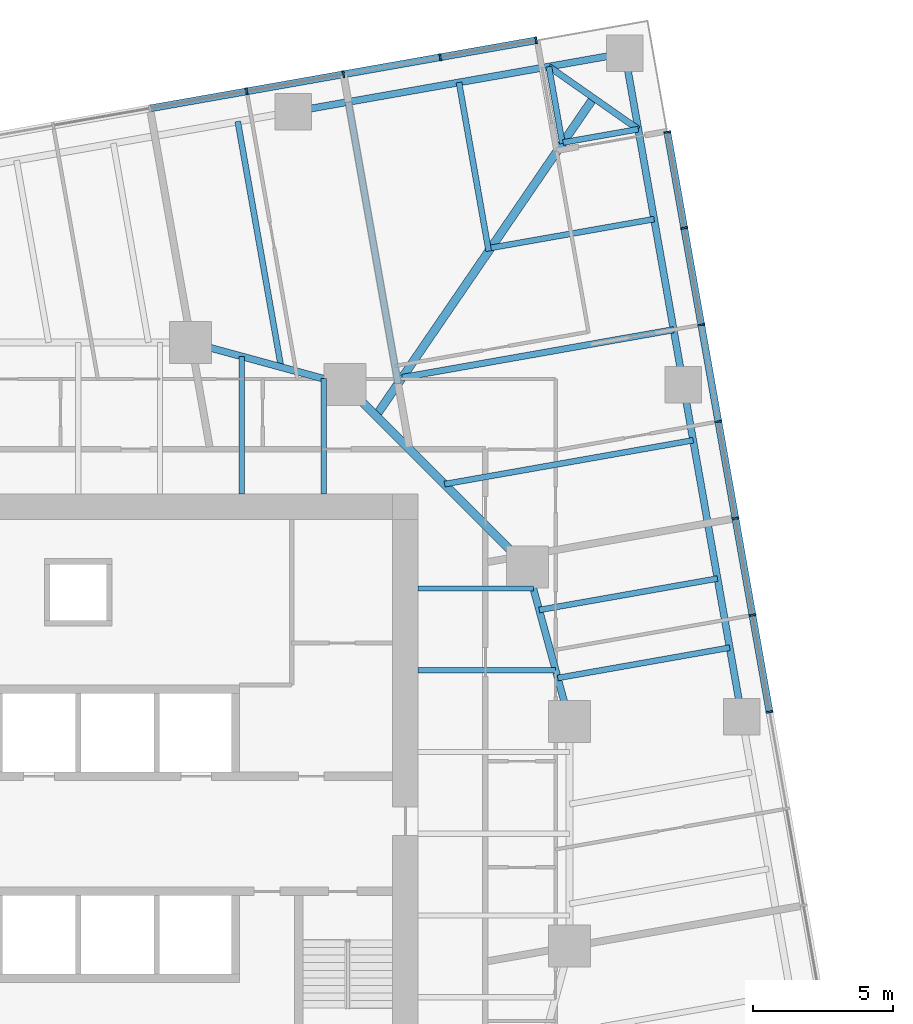
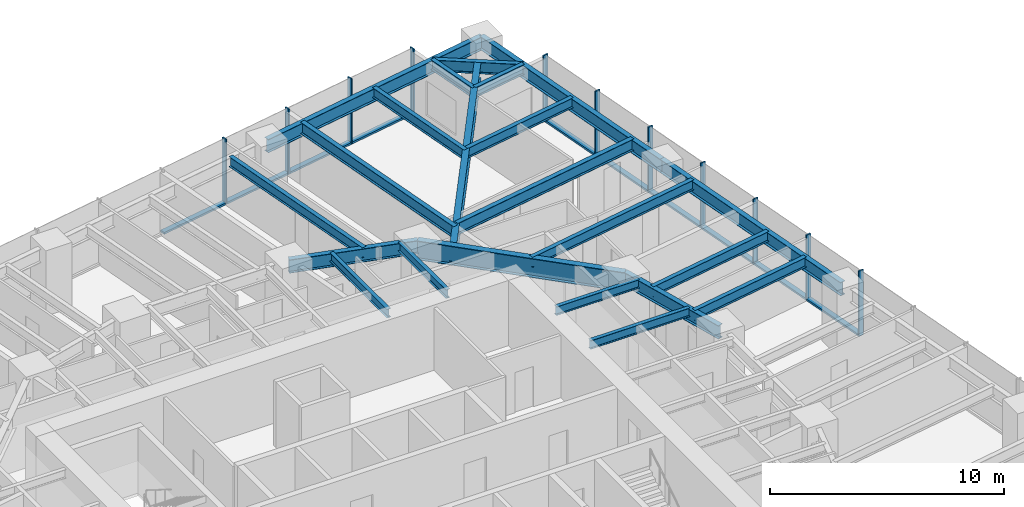
# One storey, part 6 of 14: 22 beams, 21 members, 2 elements without a shape of their own.
"""IFC4 building model written with IfcOpenShell, lengths in metres."""

from ifc_helpers import new_model, si_unit, direction, frame, origin, origin_2d, place, context, subcontext, project, spatial, rectangle, i_section, extrude, material, material_profile, profile_set, type_object, element, aggregate, save


model = new_model("IFC4")

# Units and contexts
model_context = context("Model", 3, precision=1e-05, world=origin(), true_north=direction((0.0, 1.0)))
body_context = subcontext(model_context, "Body", "Model", "MODEL_VIEW")
ifc_project = project(units=[si_unit("LENGTHUNIT", "METRE"), si_unit("AREAUNIT", "SQUARE_METRE"), si_unit("VOLUMEUNIT", "CUBIC_METRE"), si_unit("PLANEANGLEUNIT", "RADIAN"), si_unit("MASSUNIT", "GRAM", prefix="KILO")], contexts=[model_context])

# Site, building, storey
site_placement = place(None, origin())
site = spatial("IfcSite", under=ifc_project, at=site_placement, CompositionType="ELEMENT")
building_placement = place(site_placement, origin())
building = spatial("IfcBuilding", under=site, at=building_placement, Name="Torsade Residences", CompositionType="ELEMENT")
storey_placement = place(building_placement, frame((0.0, 0.0, 93.0)))
storey = spatial("IfcBuildingStorey", under=building, at=storey_placement, Name="L25", CompositionType="ELEMENT", Elevation=93.0)

# Beams
ifc_material_1 = material(Name="Steel grade 300", Category="steel")
ifc_material_profile_1 = material_profile(ifc_material_1, i_section(OverallWidth=0.300048828125, OverallDepth=0.89990234375, WebThickness=0.011962890625, FlangeThickness=0.02490234375, at=origin_2d()), Name="900WB175")
ifc_profile_set_1 = profile_set([ifc_material_profile_1], Name="Steel grade 300")
beam_type_1 = type_object("IfcBeamType", Name="CORNER GIRDER 900WB175", PredefinedType="BEAM", material=ifc_profile_set_1)
beam_1_placement = place(storey_placement, frame((58.3525390625, 56.2099609375, 2.800048828125), z_axis=(-0.564724759437, -0.825279313977, 0.0), x_axis=(0.825279313977, -0.564724759437, 0.0)))
element("IfcBeam", 1, at=beam_1_placement, inside=storey, type_object=beam_type_1, Name="Corner girder 09 L26", PredefinedType="BEAM", context=body_context, shape_type="SweptSolid", body=[
    extrude(i_section(OverallWidth=0.300048828125, OverallDepth=0.89990234375, WebThickness=0.011962890625, FlangeThickness=0.02490234375, at=origin_2d()), origin(), (0.0, 0.0, 1.0), 13.7138671875),
])
ifc_material_2 = material(Name="Steel grade 300", Category="steel")
ifc_material_profile_2 = material_profile(ifc_material_2, i_section(OverallWidth=0.22802734375, OverallDepth=0.60205078125, WebThickness=0.010498046875, FlangeThickness=0.014892578125, FilletRadius=0.013916015625, at=origin_2d()), Name="610UB101")
ifc_profile_set_2 = profile_set([ifc_material_profile_2], Name="Steel grade 300")
beam_type_2 = type_object("IfcBeamType", Name="CORNER TRIMMER 610UB101", PredefinedType="BEAM", material=ifc_profile_set_2)
beam_2_placement = place(storey_placement, frame((56.759521484375, 57.325439453125, 2.948974609375), z_axis=(0.819152285145, -0.573576092373, 0.0), x_axis=(0.573576092373, 0.819152285145, 0.0)))
element("IfcBeam", 2, at=beam_2_placement, inside=storey, type_object=beam_type_2, Name="Corner trimmer 09 L26", PredefinedType="BEAM", context=body_context, shape_type="SweptSolid", body=[
    extrude(i_section(OverallWidth=0.22802734375, OverallDepth=0.60205078125, WebThickness=0.010498046875, FlangeThickness=0.014892578125, FilletRadius=0.013916015625, at=origin_2d()), origin(), (0.0, 0.0, 1.0), 3.88916015625),
])

# Curtain wall, members
ifc_material_3 = material(Name="Aluminium and glass", Category="aluminium")
curtain_wall_type = type_object("IfcCurtainWallType", Name="FRITTED GLASS CURTAIN WALL LOW ZONE", PredefinedType="NOTDEFINED", material=ifc_material_3)
curtain_wall_1_placement = place(storey_placement, origin())
curtain_wall_1 = element("IfcCurtainWall", 3, at=curtain_wall_1_placement, inside=storey, type_object=curtain_wall_type, Name="Curtain wall L25 face 4", PredefinedType="NOTDEFINED")
ifc_material_4 = material(Name="Aluminium mullion", Category="aluminium")
ifc_material_profile_3 = material_profile(ifc_material_4, rectangle(XDim=0.25, YDim=0.06494140625, at=origin_2d()), Name="CURTAIN WALL MULLION 250x65")
ifc_profile_set_3 = profile_set([ifc_material_profile_3], Name="Aluminium mullion")
member_type_1 = type_object("IfcMemberType", Name="CURTAIN WALL MULLION 250x65", PredefinedType="MULLION", material=ifc_profile_set_3)
member_1_placement = place(storey_placement, frame((64.6201171875, 34.34130859375, 0.0), z_axis=(0.0, 0.0, 1.0), x_axis=(-0.984807750372, -0.173648192638, 0.0)))
member_1 = element("IfcMember", 4, at=member_1_placement, type_object=member_type_1, Name="Mullion 7", PredefinedType="MULLION", context=body_context, shape_type="SweptSolid", body=[
    extrude(rectangle(XDim=0.25, YDim=0.06494140625, at=origin_2d()), origin(), (0.0, 0.0, 1.0), 3.39990234375),
])
member_2_placement = place(storey_placement, frame((64.012451171875, 37.7880859375, 0.0), z_axis=(0.0, 0.0, 1.0), x_axis=(-0.984807750372, -0.173648192638, 0.0)))
member_2 = element("IfcMember", 5, at=member_2_placement, type_object=member_type_1, Name="Mullion 8", PredefinedType="MULLION", context=body_context, shape_type="SweptSolid", body=[
    extrude(rectangle(XDim=0.25, YDim=0.06494140625, at=origin_2d()), origin(), (0.0, 0.0, 1.0), 3.39990234375),
])
member_3_placement = place(storey_placement, frame((63.404541015625, 41.23486328125, 0.0), z_axis=(0.0, 0.0, 1.0), x_axis=(-0.984807750372, -0.173648192638, 0.0)))
member_3 = element("IfcMember", 6, at=member_3_placement, type_object=member_type_1, Name="Mullion 9", PredefinedType="MULLION", context=body_context, shape_type="SweptSolid", body=[
    extrude(rectangle(XDim=0.25, YDim=0.06494140625, at=origin_2d()), origin(), (0.0, 0.0, 1.0), 3.39990234375),
])
member_4_placement = place(storey_placement, frame((62.796875, 44.681640625, 0.0), z_axis=(0.0, 0.0, 1.0), x_axis=(-0.984807750372, -0.173648192638, 0.0)))
member_4 = element("IfcMember", 7, at=member_4_placement, type_object=member_type_1, Name="Mullion 10", PredefinedType="MULLION", context=body_context, shape_type="SweptSolid", body=[
    extrude(rectangle(XDim=0.25, YDim=0.06494140625, at=origin_2d()), origin(), (0.0, 0.0, 1.0), 3.39990234375),
])
member_5_placement = place(storey_placement, frame((62.189208984375, 48.12841796875, 0.0), z_axis=(0.0, 0.0, 1.0), x_axis=(-0.984807750372, -0.173648192638, 0.0)))
member_5 = element("IfcMember", 8, at=member_5_placement, type_object=member_type_1, Name="Mullion 11", PredefinedType="MULLION", context=body_context, shape_type="SweptSolid", body=[
    extrude(rectangle(XDim=0.25, YDim=0.06494140625, at=origin_2d()), origin(), (0.0, 0.0, 1.0), 3.39990234375),
])
member_6_placement = place(storey_placement, frame((61.581298828125, 51.575439453125, 0.0), z_axis=(0.0, 0.0, 1.0), x_axis=(-0.984807750372, -0.173648192638, 0.0)))
member_6 = element("IfcMember", 9, at=member_6_placement, type_object=member_type_1, Name="Mullion 12", PredefinedType="MULLION", context=body_context, shape_type="SweptSolid", body=[
    extrude(rectangle(XDim=0.25, YDim=0.06494140625, at=origin_2d()), origin(), (0.0, 0.0, 1.0), 3.39990234375),
])
member_7_placement = place(storey_placement, frame((60.979248046875, 54.990234375, 0.0), z_axis=(0.0, 0.0, 1.0), x_axis=(-0.984807750372, -0.173648192638, 0.0)))
member_7 = element("IfcMember", 10, at=member_7_placement, type_object=member_type_1, Name="Mullion 13", PredefinedType="MULLION", context=body_context, shape_type="SweptSolid", body=[
    extrude(rectangle(XDim=0.25, YDim=0.06494140625, at=origin_2d()), origin(), (0.0, 0.0, 1.0), 3.39990234375),
])

curtain_wall_2_placement = place(storey_placement, origin())
curtain_wall_2 = element("IfcCurtainWall", 11, at=curtain_wall_2_placement, inside=storey, type_object=curtain_wall_type, Name="Curtain wall L25 face 7", PredefinedType="NOTDEFINED")
member_8_placement = place(storey_placement, frame((56.307861328125, 58.26123046875, 0.0), z_axis=(0.0, 0.0, 1.0), x_axis=(0.173648192638, -0.984807750372, 0.0)))
member_8 = element("IfcMember", 12, at=member_8_placement, type_object=member_type_1, Name="Mullion 1", PredefinedType="MULLION", context=body_context, shape_type="SweptSolid", body=[
    extrude(rectangle(XDim=0.25, YDim=0.06494140625, at=origin_2d()), origin(), (0.0, 0.0, 1.0), 3.39990234375),
])
member_9_placement = place(storey_placement, frame((52.892822265625, 57.658935546875, 0.0), z_axis=(0.0, 0.0, 1.0), x_axis=(0.173648192638, -0.984807750372, 0.0)))
member_9 = element("IfcMember", 13, at=member_9_placement, type_object=member_type_1, Name="Mullion 2", PredefinedType="MULLION", context=body_context, shape_type="SweptSolid", body=[
    extrude(rectangle(XDim=0.25, YDim=0.06494140625, at=origin_2d()), origin(), (0.0, 0.0, 1.0), 3.39990234375),
])
member_10_placement = place(storey_placement, frame((49.446044921875, 57.05126953125, 0.0), z_axis=(0.0, 0.0, 1.0), x_axis=(0.173648192638, -0.984807750372, 0.0)))
member_10 = element("IfcMember", 14, at=member_10_placement, type_object=member_type_1, Name="Mullion 3", PredefinedType="MULLION", context=body_context, shape_type="SweptSolid", body=[
    extrude(rectangle(XDim=0.25, YDim=0.06494140625, at=origin_2d()), origin(), (0.0, 0.0, 1.0), 3.39990234375),
])
member_11_placement = place(storey_placement, frame((45.999267578125, 56.443603515625, 0.0), z_axis=(0.0, 0.0, 1.0), x_axis=(0.173648192638, -0.984807750372, 0.0)))
member_11 = element("IfcMember", 15, at=member_11_placement, type_object=member_type_1, Name="Mullion 4", PredefinedType="MULLION", context=body_context, shape_type="SweptSolid", body=[
    extrude(rectangle(XDim=0.25, YDim=0.06494140625, at=origin_2d()), origin(), (0.0, 0.0, 1.0), 3.39990234375),
])

# Member
ifc_material_5 = material(Name="Aluminium transom", Category="aluminium")
ifc_material_profile_4 = material_profile(ifc_material_5, rectangle(XDim=0.25, YDim=0.10009765625, at=origin_2d()), Name="CURTAIN WALL TRANSOM 250x100")
ifc_profile_set_4 = profile_set([ifc_material_profile_4], Name="Aluminium transom")
member_type_2 = type_object("IfcMemberType", Name="CURTAIN WALL TRANSOM 250x100", PredefinedType="USERDEFINED", material=ifc_profile_set_4)
member_12_placement = place(storey_placement, frame((64.614501953125, 34.373291015625, 0.050048828125), z_axis=(-0.17363531196, 0.984810021497, 0.0), x_axis=(-0.984810021497, -0.17363531196, 0.0)))
member_12 = element("IfcMember", 16, at=member_12_placement, type_object=member_type_2, Name="Transom 7.1", ObjectType="TRANSOM", PredefinedType="USERDEFINED", context=body_context, shape_type="SweptSolid", body=[
    extrude(rectangle(XDim=0.25, YDim=0.10009765625, at=origin_2d()), origin(), (0.0, 0.0, 1.0), 3.43505859375),
])

member_13_placement = place(storey_placement, frame((64.0068359375, 37.820068359375, 0.050048828125), z_axis=(-0.17363531196, 0.984810021497, 0.0), x_axis=(-0.984810021497, -0.17363531196, 0.0)))
member_13 = element("IfcMember", 17, at=member_13_placement, type_object=member_type_2, Name="Transom 8.1", ObjectType="TRANSOM", PredefinedType="USERDEFINED", context=body_context, shape_type="SweptSolid", body=[
    extrude(rectangle(XDim=0.25, YDim=0.10009765625, at=origin_2d()), origin(), (0.0, 0.0, 1.0), 3.43505859375),
])

member_14_placement = place(storey_placement, frame((63.39892578125, 41.266845703125, 0.050048828125), z_axis=(-0.17363531196, 0.984810021497, 0.0), x_axis=(-0.984810021497, -0.17363531196, 0.0)))
member_14 = element("IfcMember", 18, at=member_14_placement, type_object=member_type_2, Name="Transom 9.1", ObjectType="TRANSOM", PredefinedType="USERDEFINED", context=body_context, shape_type="SweptSolid", body=[
    extrude(rectangle(XDim=0.25, YDim=0.10009765625, at=origin_2d()), origin(), (0.0, 0.0, 1.0), 3.43505859375),
])

member_15_placement = place(storey_placement, frame((62.791259765625, 44.713623046875, 0.050048828125), z_axis=(-0.17363531196, 0.984810021497, 0.0), x_axis=(-0.984810021497, -0.17363531196, 0.0)))
member_15 = element("IfcMember", 19, at=member_15_placement, type_object=member_type_2, Name="Transom 10.1", ObjectType="TRANSOM", PredefinedType="USERDEFINED", context=body_context, shape_type="SweptSolid", body=[
    extrude(rectangle(XDim=0.25, YDim=0.10009765625, at=origin_2d()), origin(), (0.0, 0.0, 1.0), 3.43505859375),
])

member_16_placement = place(storey_placement, frame((62.18359375, 48.160400390625, 0.050048828125), z_axis=(-0.173704242465, 0.98479786563, 0.0), x_axis=(-0.98479786563, -0.173704242465, 0.0)))
member_16 = element("IfcMember", 20, at=member_16_placement, type_object=member_type_2, Name="Transom 11.1", ObjectType="TRANSOM", PredefinedType="USERDEFINED", context=body_context, shape_type="SweptSolid", body=[
    extrude(rectangle(XDim=0.25, YDim=0.10009765625, at=origin_2d()), origin(), (0.0, 0.0, 1.0), 3.43505859375),
])

member_17_placement = place(storey_placement, frame((61.57568359375, 51.607421875, 0.050048828125), z_axis=(-0.173642067011, 0.984808830466, 0.0), x_axis=(-0.984808830466, -0.173642067011, 0.0)))
member_17 = element("IfcMember", 21, at=member_17_placement, type_object=member_type_2, Name="Transom 12.1", ObjectType="TRANSOM", PredefinedType="USERDEFINED", context=body_context, shape_type="SweptSolid", body=[
    extrude(rectangle(XDim=0.25, YDim=0.10009765625, at=origin_2d()), origin(), (0.0, 0.0, 1.0), 3.402587890625),
])

aggregate(curtain_wall_1, [member_1, member_2, member_3, member_4, member_5, member_6, member_7, member_12, member_13, member_14, member_15, member_16, member_17])

member_18_placement = place(storey_placement, frame((56.275634765625, 58.255615234375, 0.050048828125), z_axis=(-0.984806666774, -0.173654337918, 0.0), x_axis=(0.173654337918, -0.984806666774, 0.0)))
member_18 = element("IfcMember", 22, at=member_18_placement, type_object=member_type_2, Name="Transom 1.1", ObjectType="TRANSOM", PredefinedType="USERDEFINED", context=body_context, shape_type="SweptSolid", body=[
    extrude(rectangle(XDim=0.25, YDim=0.10009765625, at=origin_2d()), origin(), (0.0, 0.0, 1.0), 3.40234375),
])

member_19_placement = place(storey_placement, frame((52.86083984375, 57.6533203125, 0.050048828125), z_axis=(-0.984810021497, -0.17363531196, 0.0), x_axis=(0.17363531196, -0.984810021497, 0.0)))
member_19 = element("IfcMember", 23, at=member_19_placement, type_object=member_type_2, Name="Transom 2.1", ObjectType="TRANSOM", PredefinedType="USERDEFINED", context=body_context, shape_type="SweptSolid", body=[
    extrude(rectangle(XDim=0.25, YDim=0.10009765625, at=origin_2d()), origin(), (0.0, 0.0, 1.0), 3.43505859375),
])

member_20_placement = place(storey_placement, frame((49.4140625, 57.045654296875, 0.050048828125), z_axis=(-0.984810021497, -0.17363531196, 0.0), x_axis=(0.17363531196, -0.984810021497, 0.0)))
member_20 = element("IfcMember", 24, at=member_20_placement, type_object=member_type_2, Name="Transom 3.1", ObjectType="TRANSOM", PredefinedType="USERDEFINED", context=body_context, shape_type="SweptSolid", body=[
    extrude(rectangle(XDim=0.25, YDim=0.10009765625, at=origin_2d()), origin(), (0.0, 0.0, 1.0), 3.43505859375),
])

member_21_placement = place(storey_placement, frame((45.96728515625, 56.437744140625, 0.050048828125), z_axis=(-0.984810021497, -0.17363531196, 0.0), x_axis=(0.17363531196, -0.984810021497, 0.0)))
member_21 = element("IfcMember", 25, at=member_21_placement, type_object=member_type_2, Name="Transom 4.1", ObjectType="TRANSOM", PredefinedType="USERDEFINED", context=body_context, shape_type="SweptSolid", body=[
    extrude(rectangle(XDim=0.25, YDim=0.10009765625, at=origin_2d()), origin(), (0.0, 0.0, 1.0), 3.43505859375),
])

aggregate(curtain_wall_2, [member_8, member_9, member_10, member_11, member_18, member_19, member_20, member_21])

# Beams
ifc_material_6 = material(Name="Steel grade 300", Category="steel")
ifc_material_profile_5 = material_profile(ifc_material_6, i_section(OverallWidth=0.25, OverallDepth=0.699951171875, WebThickness=0.010009765625, FlangeThickness=0.02001953125, at=origin_2d()), Name="700WB130")
ifc_profile_set_5 = profile_set([ifc_material_profile_5], Name="Steel grade 300")
beam_type_3 = type_object("IfcBeamType", Name="EDGE BEAM 700WB130", PredefinedType="SPANDREL", material=ifc_profile_set_5)
beam_3_placement = place(storey_placement, frame((63.635498046875, 34.16748046875, 2.89990234375), z_axis=(-0.173662308598, 0.984805261243, 0.0), x_axis=(-0.984805261243, -0.173662308598, 0.0)))
element("IfcBeam", 26, at=beam_3_placement, inside=storey, type_object=beam_type_3, Name="Edge beam 07 L26", PredefinedType="SPANDREL", context=body_context, shape_type="SweptSolid", body=[
    extrude(i_section(OverallWidth=0.25, OverallDepth=0.699951171875, WebThickness=0.010009765625, FlangeThickness=0.02001953125, at=origin_2d()), origin(), (0.0, 0.0, 1.0), 12.000244140625),
])
for number, where, z_axis, x_axis, name in (
    (27, (61.551513671875, 45.9853515625, 2.89990234375), (-0.173646056486, 0.984808127031, 0.0), (-0.984808127031, -0.173646056486, 0.0), "Edge beam 08 L26"),
    (28, (59.4677734375, 57.802978515625, 2.89990234375), (-0.984808127031, -0.173646056486, 0.0), (0.173646056486, -0.984808127031, 0.0), "Edge beam 09 L26"),
):
    element("IfcBeam", number, at=place(storey_placement, frame(where, z_axis=z_axis, x_axis=x_axis)), inside=storey, type_object=beam_type_3, Name=name, PredefinedType="SPANDREL", context=body_context, shape_type="SweptSolid", body=[
        extrude(i_section(OverallWidth=0.25, OverallDepth=0.699951171875, WebThickness=0.010009765625, FlangeThickness=0.02001953125, at=origin_2d()), origin(), (0.0, 0.0, 1.0), 12.0),
    ])
ifc_material_7 = material(Name="Steel grade 300", Category="steel")
ifc_material_profile_6 = material_profile(ifc_material_7, i_section(OverallWidth=0.18994140625, OverallDepth=0.4541015625, WebThickness=0.008544921875, FlangeThickness=0.0126953125, FilletRadius=0.011474609375, at=origin_2d()), Name="460UB67.1")
ifc_profile_set_6 = profile_set([ifc_material_profile_6], Name="Steel grade 300")
beam_type_4 = type_object("IfcBeamType", Name="INNER FLOOR BEAM 460UB67.1", PredefinedType="JOIST", material=ifc_profile_set_6)
beam_4_placement = place(storey_placement, frame((45.824951171875, 42.10009765625, 3.02294921875), z_axis=(0.0, 1.0, 0.0), x_axis=(-1.0, 0.0, 0.0)))
element("IfcBeam", 29, at=beam_4_placement, inside=storey, type_object=beam_type_4, Name="Inner floor beam IN06 L26", PredefinedType="JOIST", context=body_context, shape_type="SweptSolid", body=[
    extrude(i_section(OverallWidth=0.18994140625, OverallDepth=0.4541015625, WebThickness=0.008544921875, FlangeThickness=0.0126953125, FilletRadius=0.011474609375, at=origin_2d()), origin(), (0.0, 0.0, 1.0), 4.902099609375),
])
beam_5_placement = place(storey_placement, frame((48.737548828125, 42.10009765625, 3.02294921875), z_axis=(0.0, 1.0, 0.0), x_axis=(-1.0, 0.0, 0.0)))
element("IfcBeam", 30, at=beam_5_placement, inside=storey, type_object=beam_type_4, Name="Inner floor beam IN07 L26", PredefinedType="JOIST", context=body_context, shape_type="SweptSolid", body=[
    extrude(i_section(OverallWidth=0.18994140625, OverallDepth=0.4541015625, WebThickness=0.008544921875, FlangeThickness=0.0126953125, FilletRadius=0.011474609375, at=origin_2d()), origin(), (0.0, 0.0, 1.0), 4.10791015625),
])
beam_6_placement = place(storey_placement, frame((52.10009765625, 35.824951171875, 3.02294921875), z_axis=(1.0, 0.0, 0.0), x_axis=(0.0, 1.0, 0.0)))
element("IfcBeam", 31, at=beam_6_placement, inside=storey, type_object=beam_type_4, Name="Inner floor beam IE06 L26", PredefinedType="JOIST", context=body_context, shape_type="SweptSolid", body=[
    extrude(i_section(OverallWidth=0.18994140625, OverallDepth=0.4541015625, WebThickness=0.008544921875, FlangeThickness=0.0126953125, FilletRadius=0.011474609375, at=origin_2d()), origin(), (0.0, 0.0, 1.0), 4.902099609375),
])
beam_7_placement = place(storey_placement, frame((52.10009765625, 38.737548828125, 3.02294921875), z_axis=(1.0, 0.0, 0.0), x_axis=(0.0, 1.0, 0.0)))
element("IfcBeam", 32, at=beam_7_placement, inside=storey, type_object=beam_type_4, Name="Inner floor beam IE07 L26", PredefinedType="JOIST", context=body_context, shape_type="SweptSolid", body=[
    extrude(i_section(OverallWidth=0.18994140625, OverallDepth=0.4541015625, WebThickness=0.008544921875, FlangeThickness=0.0126953125, FilletRadius=0.011474609375, at=origin_2d()), origin(), (0.0, 0.0, 1.0), 4.10791015625),
])
ifc_material_8 = material(Name="Steel grade 300", Category="steel")
ifc_material_profile_7 = material_profile(ifc_material_8, i_section(OverallWidth=0.300048828125, OverallDepth=1.0, WebThickness=0.01611328125, FlangeThickness=0.028076171875, at=origin_2d()), Name="1000WB215")
ifc_profile_set_7 = profile_set([ifc_material_profile_7], Name="Steel grade 300")
beam_type_5 = type_object("IfcBeamType", Name="RING CORNER GIRDER 1000WB215", PredefinedType="BEAM", material=ifc_profile_set_7)
beam_8_placement = place(storey_placement, frame((56.0, 39.5, 2.75), z_axis=(-0.707106781187, 0.707106781187, 0.0), x_axis=(-0.707106781187, -0.707106781187, 0.0)))
element("IfcBeam", 33, at=beam_8_placement, inside=storey, type_object=beam_type_5, Name="Ring girder IR03 L26", PredefinedType="BEAM", context=body_context, shape_type="SweptSolid", body=[
    extrude(i_section(OverallWidth=0.300048828125, OverallDepth=1.0, WebThickness=0.01611328125, FlangeThickness=0.028076171875, at=origin_2d()), origin(), (0.0, 0.0, 1.0), 9.1923828125),
])
ifc_material_9 = material(Name="Steel grade 300", Category="steel")
ifc_material_profile_8 = material_profile(ifc_material_9, i_section(OverallWidth=0.25, OverallDepth=0.699951171875, WebThickness=0.010009765625, FlangeThickness=0.02001953125, at=origin_2d()), Name="700WB130")
ifc_profile_set_8 = profile_set([ifc_material_profile_8], Name="Steel grade 300")
beam_type_6 = type_object("IfcBeamType", Name="RING GIRDER 700WB130", PredefinedType="BEAM", material=ifc_profile_set_8)
for number, where, z_axis, x_axis, name in (
    (34, (57.5, 34.0, 2.89990234375), (-0.263117405792, 0.964763821238, 0.0), (-0.964763821238, -0.263117405792, 0.0), "Ring girder IR02 L26"),
    (35, (49.5, 46.0, 2.89990234375), (-0.964763821238, 0.263117405792, 0.0), (-0.263117405792, -0.964763821238, 0.0), "Ring girder IR04 L26"),
):
    element("IfcBeam", number, at=place(storey_placement, frame(where, z_axis=z_axis, x_axis=x_axis)), inside=storey, type_object=beam_type_6, Name=name, PredefinedType="BEAM", context=body_context, shape_type="SweptSolid", body=[
        extrude(i_section(OverallWidth=0.25, OverallDepth=0.699951171875, WebThickness=0.010009765625, FlangeThickness=0.02001953125, at=origin_2d()), origin(), (0.0, 0.0, 1.0), 5.700927734375),
    ])
ifc_material_10 = material(Name="Steel grade 300", Category="steel")
ifc_material_profile_9 = material_profile(ifc_material_10, i_section(OverallWidth=0.208984375, OverallDepth=0.528076171875, WebThickness=0.009521484375, FlangeThickness=0.01318359375, FilletRadius=0.013916015625, at=origin_2d()), Name="530UB82.0")
ifc_profile_set_9 = profile_set([ifc_material_profile_9], Name="Steel grade 300")
beam_type_7 = type_object("IfcBeamType", Name="SECONDARY BEAM 530UB82.0", PredefinedType="JOIST", material=ifc_profile_set_9)
beam_9_placement = place(storey_placement, frame((63.201171875, 36.629638671875, 2.986083984375), z_axis=(-0.984806474989, -0.173655425542, 0.0), x_axis=(0.173655425542, -0.984806474989, 0.0)))
element("IfcBeam", 36, at=beam_9_placement, inside=storey, type_object=beam_type_7, Name="Floor beam FE07 L26", PredefinedType="JOIST", context=body_context, shape_type="SweptSolid", body=[
    extrude(i_section(OverallWidth=0.208984375, OverallDepth=0.528076171875, WebThickness=0.009521484375, FlangeThickness=0.01318359375, FilletRadius=0.013916015625, at=origin_2d()), origin(), (0.0, 0.0, 1.0), 6.21826171875),
])
beam_10_placement = place(storey_placement, frame((62.76708984375, 39.091552734375, 2.986083984375), z_axis=(-0.984810608823, -0.17363198078, 0.0), x_axis=(0.17363198078, -0.984810608823, 0.0)))
element("IfcBeam", 37, at=beam_10_placement, inside=storey, type_object=beam_type_7, Name="Floor beam FE08 L26", PredefinedType="JOIST", context=body_context, shape_type="SweptSolid", body=[
    extrude(i_section(OverallWidth=0.208984375, OverallDepth=0.528076171875, WebThickness=0.009521484375, FlangeThickness=0.01318359375, FilletRadius=0.013916015625, at=origin_2d()), origin(), (0.0, 0.0, 1.0), 6.4482421875),
])
beam_11_placement = place(storey_placement, frame((61.89892578125, 44.015625, 2.986083984375), z_axis=(-0.984809246638, -0.173639706679, 0.0), x_axis=(0.173639706679, -0.984809246638, 0.0)))
element("IfcBeam", 38, at=beam_11_placement, inside=storey, type_object=beam_type_7, Name="Floor beam FE09 L26", PredefinedType="JOIST", context=body_context, shape_type="SweptSolid", body=[
    extrude(i_section(OverallWidth=0.208984375, OverallDepth=0.528076171875, WebThickness=0.009521484375, FlangeThickness=0.01318359375, FilletRadius=0.013916015625, at=origin_2d()), origin(), (0.0, 0.0, 1.0), 8.989990234375),
])
beam_12_placement = place(storey_placement, frame((60.509765625, 51.89404296875, 2.986083984375), z_axis=(-0.984811033899, -0.173629569808, 0.0), x_axis=(0.173629569808, -0.984811033899, 0.0)))
element("IfcBeam", 39, at=beam_12_placement, inside=storey, type_object=beam_type_7, Name="Floor beam FE11 L26", PredefinedType="JOIST", context=body_context, shape_type="SweptSolid", body=[
    extrude(i_section(OverallWidth=0.208984375, OverallDepth=0.528076171875, WebThickness=0.009521484375, FlangeThickness=0.01318359375, FilletRadius=0.013916015625, at=origin_2d()), origin(), (0.0, 0.0, 1.0), 5.9013671875),
])
beam_13_placement = place(storey_placement, frame((59.9453125, 55.0947265625, 2.986083984375), z_axis=(-0.984807941563, -0.17364710834, 0.0), x_axis=(0.17364710834, -0.984807941563, 0.0)))
element("IfcBeam", 40, at=beam_13_placement, inside=storey, type_object=beam_type_7, Name="Floor beam FE12 L26", PredefinedType="JOIST", context=body_context, shape_type="SweptSolid", body=[
    extrude(i_section(OverallWidth=0.208984375, OverallDepth=0.528076171875, WebThickness=0.009521484375, FlangeThickness=0.01318359375, FilletRadius=0.013916015625, at=origin_2d()), origin(), (0.0, 0.0, 1.0), 2.720458984375),
])
beam_14_placement = place(storey_placement, frame((56.759521484375, 57.325439453125, 2.986083984375), z_axis=(0.173705176765, -0.984797700832, 0.0), x_axis=(0.984797700832, 0.173705176765, 0.0)))
element("IfcBeam", 41, at=beam_14_placement, inside=storey, type_object=beam_type_7, Name="Floor beam FN01 L26", PredefinedType="JOIST", context=body_context, shape_type="SweptSolid", body=[
    extrude(i_section(OverallWidth=0.208984375, OverallDepth=0.528076171875, WebThickness=0.009521484375, FlangeThickness=0.01318359375, FilletRadius=0.013916015625, at=origin_2d()), origin(), (0.0, 0.0, 1.0), 2.780029296875),
])
beam_15_placement = place(storey_placement, frame((53.55908203125, 56.760986328125, 2.986083984375), z_axis=(0.173639225065, -0.984809331556, 0.0), x_axis=(0.984809331556, 0.173639225065, 0.0)))
element("IfcBeam", 42, at=beam_15_placement, inside=storey, type_object=beam_type_7, Name="Floor beam FN02 L26", PredefinedType="JOIST", context=body_context, shape_type="SweptSolid", body=[
    extrude(i_section(OverallWidth=0.208984375, OverallDepth=0.528076171875, WebThickness=0.009521484375, FlangeThickness=0.01318359375, FilletRadius=0.013916015625, at=origin_2d()), origin(), (0.0, 0.0, 1.0), 6.100830078125),
])
beam_16_placement = place(storey_placement, frame((45.680419921875, 55.371826171875, 2.986083984375), z_axis=(0.173667781384, -0.984804296147, 0.0), x_axis=(0.984804296147, 0.173667781384, 0.0)))
element("IfcBeam", 43, at=beam_16_placement, inside=storey, type_object=beam_type_7, Name="Floor beam FN04 L26", PredefinedType="JOIST", context=body_context, shape_type="SweptSolid", body=[
    extrude(i_section(OverallWidth=0.208984375, OverallDepth=0.528076171875, WebThickness=0.009521484375, FlangeThickness=0.01318359375, FilletRadius=0.013916015625, at=origin_2d()), origin(), (0.0, 0.0, 1.0), 8.885986328125),
])
ifc_material_11 = material(Name="Steel grade 300", Category="steel")
ifc_material_profile_10 = material_profile(ifc_material_11, i_section(OverallWidth=0.22900390625, OverallDepth=0.612060546875, WebThickness=0.011962890625, FlangeThickness=0.01953125, FilletRadius=0.013916015625, at=origin_2d()), Name="610UB125")
ifc_profile_set_10 = profile_set([ifc_material_profile_10], Name="Steel grade 300")
beam_type_8 = type_object("IfcBeamType", Name="SECONDARY BEAM 610UB125", PredefinedType="JOIST", material=ifc_profile_set_10)
beam_17_placement = place(storey_placement, frame((61.204345703125, 47.954833984375, 2.944091796875), z_axis=(-0.984807085789, -0.173651961637, 0.0), x_axis=(0.173651961637, -0.984807085789, 0.0)))
element("IfcBeam", 44, at=beam_17_placement, inside=storey, type_object=beam_type_8, Name="Floor beam FE10 L26", PredefinedType="JOIST", context=body_context, shape_type="SweptSolid", body=[
    extrude(i_section(OverallWidth=0.22900390625, OverallDepth=0.612060546875, WebThickness=0.011962890625, FlangeThickness=0.01953125, FilletRadius=0.013916015625, at=origin_2d()), origin(), (0.0, 0.0, 1.0), 9.816162109375),
])
beam_18_placement = place(storey_placement, frame((49.619873046875, 56.06640625, 2.944091796875), z_axis=(0.173644522411, -0.984808397525, 0.0), x_axis=(0.984808397525, 0.173644522411, 0.0)))
element("IfcBeam", 45, at=beam_18_placement, inside=storey, type_object=beam_type_8, Name="Floor beam FN03 L26", PredefinedType="JOIST", context=body_context, shape_type="SweptSolid", body=[
    extrude(i_section(OverallWidth=0.22900390625, OverallDepth=0.612060546875, WebThickness=0.011962890625, FlangeThickness=0.01953125, FilletRadius=0.013916015625, at=origin_2d()), origin(), (0.0, 0.0, 1.0), 10.187744140625),
])

save(model, "model.ifc")
